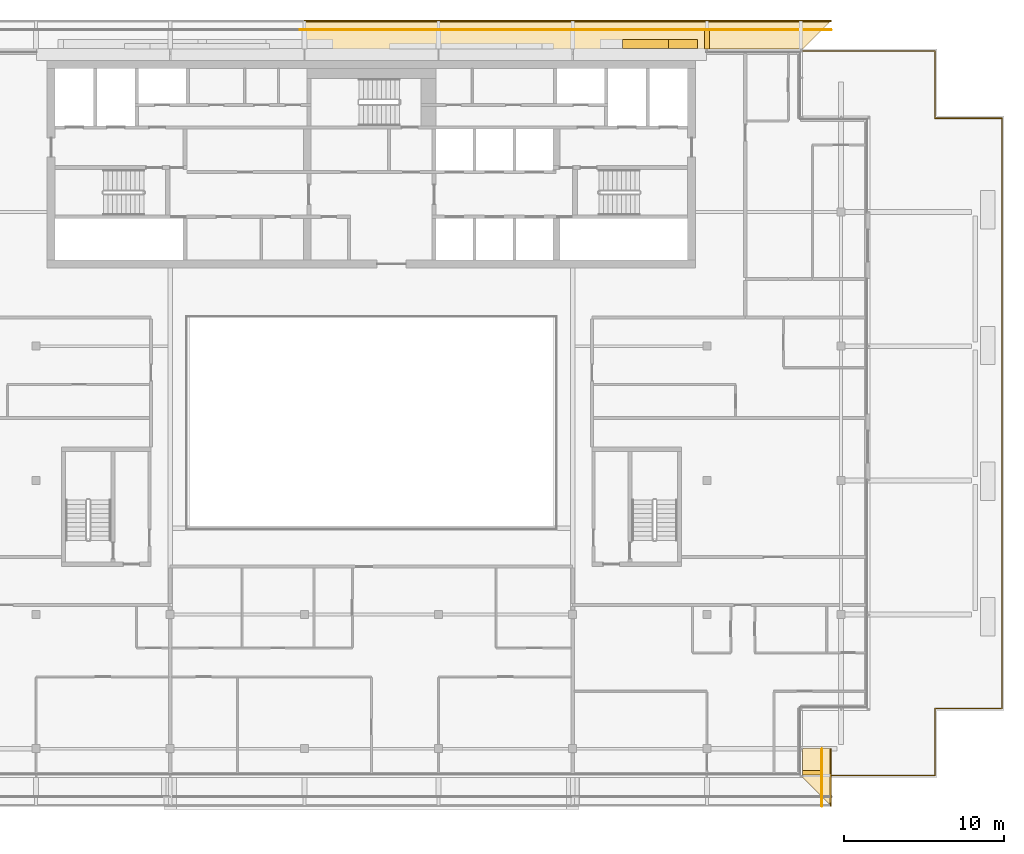
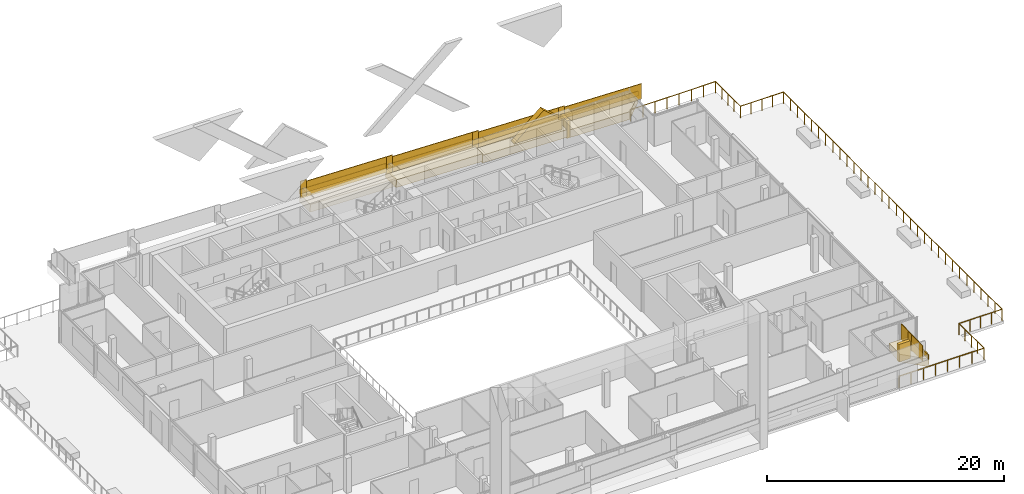
# One storey, part 27 of 29: 13 coverings, 11 railings.
"""IFC4 building model written with IfcOpenShell, lengths in metres."""

from ifc_helpers import new_model, si_unit, direction, frame, origin, origin_2d, place, context, subcontext, project, spatial, polyline, rectangle, circle, outline, extrude, material, layer, layer_set, type_object, element, save


model = new_model("IFC4")

# Units and contexts
model_context = context("Model", 3, precision=1e-05, world=origin(), true_north=direction((0.0, 1.0)))
body_context = subcontext(model_context, "Body", "Model", "MODEL_VIEW")
ifc_project = project(units=[si_unit("LENGTHUNIT", "METRE"), si_unit("AREAUNIT", "SQUARE_METRE"), si_unit("VOLUMEUNIT", "CUBIC_METRE"), si_unit("PLANEANGLEUNIT", "RADIAN"), si_unit("MASSUNIT", "GRAM", prefix="KILO")], contexts=[model_context])

# Site, building, storey
site_placement = place(None, origin())
site = spatial("IfcSite", under=ifc_project, at=site_placement, CompositionType="ELEMENT")
building_placement = place(site_placement, origin())
building = spatial("IfcBuilding", under=site, at=building_placement, Name="Saffron Gate Tower", CompositionType="ELEMENT")
storey_placement = place(building_placement, frame((0.0, 0.0, 270.75)))
storey = spatial("IfcBuildingStorey", under=building, at=storey_placement, Name="L65", CompositionType="ELEMENT", Elevation=270.75)

# Railing
ifc_material_1 = material(Name="Stainless steel posts and toughened glass infill", Category="steel")
railing_type_1 = type_object("IfcRailingType", Name="BAL1 balustrade 1200", PredefinedType="BALUSTRADE", material=ifc_material_1)
railing_1_placement = place(storey_placement, frame((114.60009765625, 30.1201171875, 0.0)))
element("IfcRailing", 1, at=railing_1_placement, inside=storey, type_object=railing_type_1, Name="GUARD terrace edge", PredefinedType="BALUSTRADE", context=body_context, shape_type="SweptSolid", body=[
    extrude(circle(Radius=0.02392578125, at=origin_2d()), frame((0.0, 0.0, 1.17578125), z_axis=(1.0, 0.0, 0.0), x_axis=(0.0, 1.0, 0.0)), (0.0, 0.0, 1.0), 8.27978515625),
    extrude(circle(Radius=0.02392578125, at=origin_2d()), frame((8.27978515625, 0.0, 1.17578125), z_axis=(0.0, 1.0, 0.0), x_axis=(-1.0, 0.0, 0.0)), (0.0, 0.0, 1.0), 4.199951171875),
    extrude(circle(Radius=0.02392578125, at=origin_2d()), frame((8.27978515625, 4.199951171875, 1.17578125), z_axis=(1.0, 0.0, 0.0), x_axis=(0.0, 1.0, 0.0)), (0.0, 0.0, 1.0), 4.2001953125),
    extrude(circle(Radius=0.02392578125, at=origin_2d()), frame((12.47998046875, 4.199951171875, 1.17578125), z_axis=(0.0, 1.0, 0.0), x_axis=(-1.0, 0.0, 0.0)), (0.0, 0.0, 1.0), 36.9599609375),
    extrude(circle(Radius=0.02392578125, at=origin_2d()), frame((12.47998046875, 41.159912109375, 1.17578125), z_axis=(-1.0, 0.0, 0.0), x_axis=(0.0, -1.0, 0.0)), (0.0, 0.0, 1.0), 4.2001953125),
    extrude(circle(Radius=0.02392578125, at=origin_2d()), frame((8.27978515625, 41.159912109375, 1.17578125), z_axis=(0.0, 1.0, 0.0), x_axis=(-1.0, 0.0, 0.0)), (0.0, 0.0, 1.0), 4.199951171875),
    extrude(circle(Radius=0.02392578125, at=origin_2d()), frame((8.27978515625, 45.35986328125, 1.17578125), z_axis=(-1.0, 0.0, 0.0), x_axis=(0.0, -1.0, 0.0)), (0.0, 0.0, 1.0), 8.27978515625),
    extrude(circle(Radius=0.02099609375, at=origin_2d()), origin(), (0.0, 0.0, 1.0), 1.15185546875),
    extrude(circle(Radius=0.02099609375, at=origin_2d()), frame((1.182861328125, 0.0, 0.0)), (0.0, 0.0, 1.0), 1.15185546875),
    extrude(circle(Radius=0.02099609375, at=origin_2d()), frame((2.36572265625, 0.0, 0.0)), (0.0, 0.0, 1.0), 1.15185546875),
    extrude(circle(Radius=0.02099609375, at=origin_2d()), frame((3.548583984375, 0.0, 0.0)), (0.0, 0.0, 1.0), 1.15185546875),
    extrude(circle(Radius=0.02099609375, at=origin_2d()), frame((4.731201171875, 0.0, 0.0)), (0.0, 0.0, 1.0), 1.15185546875),
    extrude(circle(Radius=0.02099609375, at=origin_2d()), frame((5.9140625, 0.0, 0.0)), (0.0, 0.0, 1.0), 1.15185546875),
    extrude(circle(Radius=0.02099609375, at=origin_2d()), frame((7.096923828125, 0.0, 0.0)), (0.0, 0.0, 1.0), 1.15185546875),
    extrude(circle(Radius=0.02099609375, at=origin_2d()), frame((8.27978515625, 0.0, 0.0)), (0.0, 0.0, 1.0), 1.15185546875),
    extrude(circle(Radius=0.02099609375, at=origin_2d()), frame((8.27978515625, 1.050048828125, 0.0)), (0.0, 0.0, 1.0), 1.15185546875),
    extrude(circle(Radius=0.02099609375, at=origin_2d()), frame((8.27978515625, 2.10009765625, 0.0)), (0.0, 0.0, 1.0), 1.15185546875),
    extrude(circle(Radius=0.02099609375, at=origin_2d()), frame((8.27978515625, 3.14990234375, 0.0)), (0.0, 0.0, 1.0), 1.15185546875),
    extrude(circle(Radius=0.02099609375, at=origin_2d()), frame((8.27978515625, 4.199951171875, 0.0)), (0.0, 0.0, 1.0), 1.15185546875),
    extrude(circle(Radius=0.02099609375, at=origin_2d()), frame((9.329833984375, 4.199951171875, 0.0)), (0.0, 0.0, 1.0), 1.15185546875),
    extrude(circle(Radius=0.02099609375, at=origin_2d()), frame((10.3798828125, 4.199951171875, 0.0)), (0.0, 0.0, 1.0), 1.15185546875),
    extrude(circle(Radius=0.02099609375, at=origin_2d()), frame((11.429931640625, 4.199951171875, 0.0)), (0.0, 0.0, 1.0), 1.15185546875),
    extrude(circle(Radius=0.02099609375, at=origin_2d()), frame((12.47998046875, 4.199951171875, 0.0)), (0.0, 0.0, 1.0), 1.15185546875),
    extrude(circle(Radius=0.02099609375, at=origin_2d()), frame((12.47998046875, 5.39208984375, 0.0)), (0.0, 0.0, 1.0), 1.15185546875),
    extrude(circle(Radius=0.02099609375, at=origin_2d()), frame((12.47998046875, 6.58447265625, 0.0)), (0.0, 0.0, 1.0), 1.15185546875),
    extrude(circle(Radius=0.02099609375, at=origin_2d()), frame((12.47998046875, 7.776611328125, 0.0)), (0.0, 0.0, 1.0), 1.15185546875),
    extrude(circle(Radius=0.02099609375, at=origin_2d()), frame((12.47998046875, 8.968994140625, 0.0)), (0.0, 0.0, 1.0), 1.15185546875),
    extrude(circle(Radius=0.02099609375, at=origin_2d()), frame((12.47998046875, 10.1611328125, 0.0)), (0.0, 0.0, 1.0), 1.15185546875),
    extrude(circle(Radius=0.02099609375, at=origin_2d()), frame((12.47998046875, 11.353515625, 0.0)), (0.0, 0.0, 1.0), 1.15185546875),
    extrude(circle(Radius=0.02099609375, at=origin_2d()), frame((12.47998046875, 12.545654296875, 0.0)), (0.0, 0.0, 1.0), 1.15185546875),
    extrude(circle(Radius=0.02099609375, at=origin_2d()), frame((12.47998046875, 13.738037109375, 0.0)), (0.0, 0.0, 1.0), 1.15185546875),
    extrude(circle(Radius=0.02099609375, at=origin_2d()), frame((12.47998046875, 14.93017578125, 0.0)), (0.0, 0.0, 1.0), 1.15185546875),
    extrude(circle(Radius=0.02099609375, at=origin_2d()), frame((12.47998046875, 16.12255859375, 0.0)), (0.0, 0.0, 1.0), 1.15185546875),
    extrude(circle(Radius=0.02099609375, at=origin_2d()), frame((12.47998046875, 17.314697265625, 0.0)), (0.0, 0.0, 1.0), 1.15185546875),
    extrude(circle(Radius=0.02099609375, at=origin_2d()), frame((12.47998046875, 18.507080078125, 0.0)), (0.0, 0.0, 1.0), 1.15185546875),
    extrude(circle(Radius=0.02099609375, at=origin_2d()), frame((12.47998046875, 19.69921875, 0.0)), (0.0, 0.0, 1.0), 1.15185546875),
    extrude(circle(Radius=0.02099609375, at=origin_2d()), frame((12.47998046875, 20.8916015625, 0.0)), (0.0, 0.0, 1.0), 1.15185546875),
    extrude(circle(Radius=0.02099609375, at=origin_2d()), frame((12.47998046875, 22.083740234375, 0.0)), (0.0, 0.0, 1.0), 1.15185546875),
    extrude(circle(Radius=0.02099609375, at=origin_2d()), frame((12.47998046875, 23.276123046875, 0.0)), (0.0, 0.0, 1.0), 1.15185546875),
    extrude(circle(Radius=0.02099609375, at=origin_2d()), frame((12.47998046875, 24.46826171875, 0.0)), (0.0, 0.0, 1.0), 1.15185546875),
    extrude(circle(Radius=0.02099609375, at=origin_2d()), frame((12.47998046875, 25.66064453125, 0.0)), (0.0, 0.0, 1.0), 1.15185546875),
    extrude(circle(Radius=0.02099609375, at=origin_2d()), frame((12.47998046875, 26.852783203125, 0.0)), (0.0, 0.0, 1.0), 1.15185546875),
    extrude(circle(Radius=0.02099609375, at=origin_2d()), frame((12.47998046875, 28.045166015625, 0.0)), (0.0, 0.0, 1.0), 1.15185546875),
    extrude(circle(Radius=0.02099609375, at=origin_2d()), frame((12.47998046875, 29.2373046875, 0.0)), (0.0, 0.0, 1.0), 1.15185546875),
    extrude(circle(Radius=0.02099609375, at=origin_2d()), frame((12.47998046875, 30.4296875, 0.0)), (0.0, 0.0, 1.0), 1.15185546875),
    extrude(circle(Radius=0.02099609375, at=origin_2d()), frame((12.47998046875, 31.621826171875, 0.0)), (0.0, 0.0, 1.0), 1.15185546875),
    extrude(circle(Radius=0.02099609375, at=origin_2d()), frame((12.47998046875, 32.814208984375, 0.0)), (0.0, 0.0, 1.0), 1.15185546875),
    extrude(circle(Radius=0.02099609375, at=origin_2d()), frame((12.47998046875, 34.00634765625, 0.0)), (0.0, 0.0, 1.0), 1.15185546875),
    extrude(circle(Radius=0.02099609375, at=origin_2d()), frame((12.47998046875, 35.19873046875, 0.0)), (0.0, 0.0, 1.0), 1.15185546875),
    extrude(circle(Radius=0.02099609375, at=origin_2d()), frame((12.47998046875, 36.390869140625, 0.0)), (0.0, 0.0, 1.0), 1.15185546875),
    extrude(circle(Radius=0.02099609375, at=origin_2d()), frame((12.47998046875, 37.583251953125, 0.0)), (0.0, 0.0, 1.0), 1.15185546875),
    extrude(circle(Radius=0.02099609375, at=origin_2d()), frame((12.47998046875, 38.775390625, 0.0)), (0.0, 0.0, 1.0), 1.15185546875),
    extrude(circle(Radius=0.02099609375, at=origin_2d()), frame((12.47998046875, 39.9677734375, 0.0)), (0.0, 0.0, 1.0), 1.15185546875),
    extrude(circle(Radius=0.02099609375, at=origin_2d()), frame((12.47998046875, 41.159912109375, 0.0)), (0.0, 0.0, 1.0), 1.15185546875),
    extrude(circle(Radius=0.02099609375, at=origin_2d()), frame((11.429931640625, 41.159912109375, 0.0)), (0.0, 0.0, 1.0), 1.15185546875),
    extrude(circle(Radius=0.02099609375, at=origin_2d()), frame((10.3798828125, 41.159912109375, 0.0)), (0.0, 0.0, 1.0), 1.15185546875),
    extrude(circle(Radius=0.02099609375, at=origin_2d()), frame((9.329833984375, 41.159912109375, 0.0)), (0.0, 0.0, 1.0), 1.15185546875),
    extrude(circle(Radius=0.02099609375, at=origin_2d()), frame((8.27978515625, 41.159912109375, 0.0)), (0.0, 0.0, 1.0), 1.15185546875),
    extrude(circle(Radius=0.02099609375, at=origin_2d()), frame((8.27978515625, 42.2099609375, 0.0)), (0.0, 0.0, 1.0), 1.15185546875),
    extrude(circle(Radius=0.02099609375, at=origin_2d()), frame((8.27978515625, 43.259765625, 0.0)), (0.0, 0.0, 1.0), 1.15185546875),
    extrude(circle(Radius=0.02099609375, at=origin_2d()), frame((8.27978515625, 44.309814453125, 0.0)), (0.0, 0.0, 1.0), 1.15185546875),
    extrude(circle(Radius=0.02099609375, at=origin_2d()), frame((8.27978515625, 45.35986328125, 0.0)), (0.0, 0.0, 1.0), 1.15185546875),
    extrude(circle(Radius=0.02099609375, at=origin_2d()), frame((7.096923828125, 45.35986328125, 0.0)), (0.0, 0.0, 1.0), 1.15185546875),
    extrude(circle(Radius=0.02099609375, at=origin_2d()), frame((5.9140625, 45.35986328125, 0.0)), (0.0, 0.0, 1.0), 1.15185546875),
    extrude(circle(Radius=0.02099609375, at=origin_2d()), frame((4.731201171875, 45.35986328125, 0.0)), (0.0, 0.0, 1.0), 1.15185546875),
    extrude(circle(Radius=0.02099609375, at=origin_2d()), frame((3.548583984375, 45.35986328125, 0.0)), (0.0, 0.0, 1.0), 1.15185546875),
    extrude(circle(Radius=0.02099609375, at=origin_2d()), frame((2.36572265625, 45.35986328125, 0.0)), (0.0, 0.0, 1.0), 1.15185546875),
    extrude(circle(Radius=0.02099609375, at=origin_2d()), frame((1.182861328125, 45.35986328125, 0.0)), (0.0, 0.0, 1.0), 1.15185546875),
    extrude(circle(Radius=0.02099609375, at=origin_2d()), frame((0.0, 45.35986328125, 0.0)), (0.0, 0.0, 1.0), 1.15185546875),
])

# Coverings
ifc_material_2 = material(Name="Timber, thermally modified ash", Category="wood")
ifc_layer_1 = layer(ifc_material_2, 0.800048828125)
ifc_layer_set_1 = layer_set([ifc_layer_1], Name="LD1 ledge timber")
covering_type_1 = type_object("IfcCoveringType", Name="LD1 ledge timber", PredefinedType="CLADDING", material=ifc_layer_set_1)
covering_1_placement = place(storey_placement, frame((114.60009765625, 30.0, 3.514404296875), z_axis=(-4.5197335e-05, -0.028831989003, 0.999584270768), x_axis=(2.042e-09, 0.999584271789, 0.028831989032)))
element("IfcCovering", 2, at=covering_1_placement, inside=storey, type_object=covering_type_1, Name="LEDGE", PredefinedType="CLADDING", context=body_context, shape_type="SweptSolid", body=[
    extrude(outline(polyline([(0.0, 0.0), (1.8007998167885757, 4.235164736271502e-22), (1.8007998204631834, -1.7998046856616803), (-1.8007927740541456, -1.7998046966915844), (0.0, 0.0)])), origin(), (0.0, 0.0, -1.0), 0.800048828125),
])
covering_2_placement = place(storey_placement, frame((114.60009765625, 75.60009765625, 0.89990234375), z_axis=(0.028789985935, -2.2222876e-05, 0.999585482195), x_axis=(-0.999585482442, 1.48e-10, 0.028789985943)))
element("IfcCovering", 3, at=covering_2_placement, inside=storey, type_object=covering_type_1, Name="LEDGE", PredefinedType="CLADDING", context=body_context, shape_type="SweptSolid", body=[
    extrude(outline(polyline([(0.0, 0.0), (6.002489288708389, 0.0), (6.002489288974903, -1.7998046870555775), (-1.8005487432843987, -1.799804689099891), (0.0, 0.0)])), origin(), (0.0, 0.0, -1.0), 0.800048828125),
])
covering_3_placement = place(storey_placement, frame((108.60009765625, 75.60009765625, 1.1904296875), z_axis=(0.028790339263, 0.0, 0.999585472266), x_axis=(-0.999585472266, 0.0, 0.028790339263)))
element("IfcCovering", 4, at=covering_3_placement, inside=storey, type_object=covering_type_1, Name="LEDGE", PredefinedType="CLADDING", context=body_context, shape_type="SweptSolid", body=[
    extrude(outline(polyline([(0.0, 0.0), (8.403630022085892, 0.0), (8.403630022085892, -1.7998046875), (0.0, -1.7998046875), (0.0, 0.0)])), origin(), (0.0, 0.0, -1.0), 0.800048828125),
])
covering_4_placement = place(storey_placement, frame((100.199951171875, 75.60009765625, 1.59716796875), z_axis=(0.028791175352, 0.0, 0.999585448184), x_axis=(-0.999585448184, 0.0, 0.028791175352)))
element("IfcCovering", 5, at=covering_4_placement, inside=storey, type_object=covering_type_1, Name="LEDGE", PredefinedType="CLADDING", context=body_context, shape_type="SweptSolid", body=[
    extrude(outline(polyline([(0.0, 0.0), (8.403385982666892, 0.0), (8.403385982666892, -1.7998046875), (0.0, -1.7998046875), (0.0, 0.0)])), origin(), (0.0, 0.0, -1.0), 0.800048828125),
])
covering_5_placement = place(storey_placement, frame((91.800048828125, 75.60009765625, 2.00390625), z_axis=(0.028790339263, 0.0, 0.999585472266), x_axis=(-0.999585472266, 0.0, 0.028790339263)))
element("IfcCovering", 6, at=covering_5_placement, inside=storey, type_object=covering_type_1, Name="LEDGE", PredefinedType="CLADDING", context=body_context, shape_type="SweptSolid", body=[
    extrude(outline(polyline([(0.0, 0.0), (8.403630022085892, 0.0), (8.403630022085892, -1.7998046875), (0.0, -1.7998046875), (0.0, 0.0)])), origin(), (0.0, 0.0, -1.0), 0.800048828125),
])
ifc_layer_2 = layer(ifc_material_2, 0.080078125)
ifc_layer_set_2 = layer_set([ifc_layer_2], Name="LD2 ledge planter trough")
covering_type_2 = type_object("IfcCoveringType", Name="LD2 ledge planter trough", PredefinedType="CLADDING", material=ifc_layer_set_2)
covering_6_placement = place(storey_placement, frame((116.39990234375, 28.199951171875, 3.462646484375), z_axis=(1.0, 0.0, 0.0), x_axis=(0.0, 0.99958492274, 0.028809412191)))
element("IfcCovering", 7, at=covering_6_placement, inside=storey, type_object=covering_type_2, Name="LEDGE planter trough", PredefinedType="CLADDING", context=body_context, shape_type="SweptSolid", body=[
    extrude(outline(polyline([(0.0, 0.0), (3.601592595435983, 0.0), (3.6159973015313485, 0.4997924613700232), (0.014404706095365512, 0.4997924613700232), (0.0, 0.0)])), origin(), (0.0, 0.0, -1.0), 0.080078125),
])
covering_7_placement = place(storey_placement, frame((116.39990234375, 77.39990234375, 0.84814453125), z_axis=(0.0, 1.0, 0.0), x_axis=(-0.999585630001, 0.0, 0.028784862264)))
element("IfcCovering", 8, at=covering_7_placement, inside=storey, type_object=covering_type_2, Name="LEDGE planter trough", PredefinedType="CLADDING", context=body_context, shape_type="SweptSolid", body=[
    extrude(outline(polyline([(0.0, 0.0), (7.80303803236181, 2.7755575615628914e-17), (7.817430463493663, 0.4997928150004909), (0.014392431131853373, 0.49979281500049083), (0.0, 0.0)])), origin(), (0.0, 0.0, -1.0), 0.080078125),
])
covering_8_placement = place(storey_placement, frame((108.60009765625, 77.39990234375, 1.1904296875), z_axis=(0.0, 1.0, 0.0), x_axis=(-0.999585472266, 0.0, 0.028790339263)))
element("IfcCovering", 9, at=covering_8_placement, inside=storey, type_object=covering_type_2, Name="LEDGE planter trough", PredefinedType="CLADDING", context=body_context, shape_type="SweptSolid", body=[
    extrude(outline(polyline([(0.0, 0.0), (8.403630022085892, 0.0), (8.418025191717298, 0.4997927361329725), (0.014395169631405694, 0.4997927361329725), (0.0, 0.0)])), origin(), (0.0, 0.0, -1.0), 0.080078125),
])
covering_9_placement = place(storey_placement, frame((100.199951171875, 77.39990234375, 1.59716796875), z_axis=(0.0, 1.0, 0.0), x_axis=(-0.999585448184, 0.0, 0.028791175352)))
element("IfcCovering", 10, at=covering_9_placement, inside=storey, type_object=covering_type_2, Name="LEDGE planter trough", PredefinedType="CLADDING", context=body_context, shape_type="SweptSolid", body=[
    extrude(outline(polyline([(0.0, 0.0), (8.403385982666892, 0.0), (8.417781570342743, 0.49979272409216496), (0.014395587675851172, 0.4997927240921649), (0.0, 0.0)])), origin(), (0.0, 0.0, -1.0), 0.080078125),
])
covering_10_placement = place(storey_placement, frame((91.800048828125, 77.39990234375, 2.00390625), z_axis=(0.0, 1.0, 0.0), x_axis=(-0.999585472266, 0.0, 0.028790339263)))
element("IfcCovering", 11, at=covering_10_placement, inside=storey, type_object=covering_type_2, Name="LEDGE planter trough", PredefinedType="CLADDING", context=body_context, shape_type="SweptSolid", body=[
    extrude(outline(polyline([(0.0, 0.0), (8.403630022085892, 0.0), (8.418025191717298, 0.4997927361329725), (0.014395169631405694, 0.4997927361329725), (0.0, 0.0)])), origin(), (0.0, 0.0, -1.0), 0.080078125),
])
ifc_layer_3 = layer(ifc_material_2, 0.300048828125)
ifc_layer_set_3 = layer_set([ifc_layer_3], Name="LD3 ledge riser fin")
covering_type_3 = type_object("IfcCoveringType", Name="LD3 ledge riser fin", PredefinedType="CLADDING", material=ifc_layer_set_3)
for number, where, z_axis, x_axis, name in (
    (12, (115.159912109375, 30.300048828125, 2.5966796875), (0.0, 0.0, 1.0), (0.0, 1.0, 0.0), "LEDGE riser fin"),
    (13, (108.60009765625, 76.159912109375, 0.27294921875), (0.0, 0.0, 1.0), (-1.0, 0.0, 0.0), "LEDGE riser fin"),
):
    element("IfcCovering", number, at=place(storey_placement, frame(where, z_axis=z_axis, x_axis=x_axis)), inside=storey, type_object=covering_type_3, Name=name, PredefinedType="CLADDING", context=body_context, shape_type="SweptSolid", body=[
        extrude(rectangle(XDim=0.300048828125, YDim=1.1201171875, at=origin_2d()), origin(), (0.0, 0.0, 1.0), 1.817626953125),
    ])

# Railings
railing_type_2 = type_object("IfcRailingType", Name="LG1 ledge balustrade", PredefinedType="BALUSTRADE", material=ifc_material_2)
railing_2_placement = place(storey_placement, frame((115.800048828125, 28.199951171875, 3.462646484375)))
element("IfcRailing", 14, at=railing_2_placement, inside=storey, type_object=railing_type_2, Name="LEDGE BALUSTRADE", PredefinedType="BALUSTRADE", context=body_context, shape_type="SweptSolid", body=[
    extrude(rectangle(XDim=0.06005859375, YDim=1.60009765625, at=origin_2d()), frame((0.0, 0.0, 0.800048828125), z_axis=(0.0, 0.99958492274, 0.028809412191), x_axis=(-1.0, 0.0, 0.0)), (0.0, 0.0, 1.0), 3.6015625),
])
railing_3_placement = place(storey_placement, frame((115.800048828125, 30.0, 3.396728515625)))
element("IfcRailing", 15, at=railing_3_placement, inside=storey, type_object=railing_type_2, Name="LEDGE BALUSTRADE", PredefinedType="BALUSTRADE", context=body_context, shape_type="SweptSolid", body=[
    extrude(rectangle(XDim=0.06005859375, YDim=1.7177734375, at=origin_2d()), frame((0.0, 0.0, 0.85888671875), z_axis=(0.0, 1.0, 0.0), x_axis=(-1.0, 0.0, 0.0)), (0.0, 0.0, 1.0), 0.60009765625),
])
railing_4_placement = place(storey_placement, frame((116.39990234375, 76.800048828125, 0.84814453125)))
element("IfcRailing", 16, at=railing_4_placement, inside=storey, type_object=railing_type_2, Name="LEDGE BALUSTRADE", PredefinedType="BALUSTRADE", context=body_context, shape_type="SweptSolid", body=[
    extrude(rectangle(XDim=0.06005859375, YDim=1.60009765625, at=origin_2d()), frame((0.0, 0.0, 0.800048828125), z_axis=(-0.999585630001, 0.0, 0.028784862264), x_axis=(0.0, -1.0, 0.0)), (0.0, 0.0, 1.0), 7.802978515625),
])
railing_5_placement = place(storey_placement, frame((108.60009765625, 76.800048828125, 1.1904296875)))
element("IfcRailing", 17, at=railing_5_placement, inside=storey, type_object=railing_type_2, Name="LEDGE BALUSTRADE", PredefinedType="BALUSTRADE", context=body_context, shape_type="SweptSolid", body=[
    extrude(rectangle(XDim=0.06005859375, YDim=1.60009765625, at=origin_2d()), frame((0.0, 0.0, 0.800048828125), z_axis=(-0.999585472266, 0.0, 0.028790339263), x_axis=(0.0, -1.0, 0.0)), (0.0, 0.0, 1.0), 8.403564453125),
])
railing_6_placement = place(storey_placement, frame((108.89990234375, 76.800048828125, 1.07275390625)))
element("IfcRailing", 18, at=railing_6_placement, inside=storey, type_object=railing_type_2, Name="LEDGE BALUSTRADE", PredefinedType="BALUSTRADE", context=body_context, shape_type="SweptSolid", body=[
    extrude(rectangle(XDim=0.06005859375, YDim=1.7177734375, at=origin_2d()), frame((0.0, 0.0, 0.85888671875), z_axis=(-1.0, 0.0, 0.0), x_axis=(0.0, -1.0, 0.0)), (0.0, 0.0, 1.0), 0.599853515625),
])
railing_7_placement = place(storey_placement, frame((100.199951171875, 76.800048828125, 1.59716796875)))
element("IfcRailing", 19, at=railing_7_placement, inside=storey, type_object=railing_type_2, Name="LEDGE BALUSTRADE", PredefinedType="BALUSTRADE", context=body_context, shape_type="SweptSolid", body=[
    extrude(rectangle(XDim=0.06005859375, YDim=1.60009765625, at=origin_2d()), frame((0.0, 0.0, 0.800048828125), z_axis=(-0.999585448184, 0.0, 0.028791175352), x_axis=(0.0, -1.0, 0.0)), (0.0, 0.0, 1.0), 8.4033203125),
])
railing_8_placement = place(storey_placement, frame((100.5, 76.800048828125, 1.432373046875)))
element("IfcRailing", 20, at=railing_8_placement, inside=storey, type_object=railing_type_2, Name="LEDGE BALUSTRADE", PredefinedType="BALUSTRADE", context=body_context, shape_type="SweptSolid", body=[
    extrude(rectangle(XDim=0.06005859375, YDim=1.7646484375, at=origin_2d()), frame((0.0, 0.0, 0.88232421875), z_axis=(-1.0, 0.0, 0.0), x_axis=(0.0, -1.0, 0.0)), (0.0, 0.0, 1.0), 0.60009765625),
])
railing_9_placement = place(storey_placement, frame((91.800048828125, 76.800048828125, 2.00390625)))
element("IfcRailing", 21, at=railing_9_placement, inside=storey, type_object=railing_type_2, Name="LEDGE BALUSTRADE", PredefinedType="BALUSTRADE", context=body_context, shape_type="SweptSolid", body=[
    extrude(rectangle(XDim=0.06005859375, YDim=1.60009765625, at=origin_2d()), frame((0.0, 0.0, 0.800048828125), z_axis=(-0.999585472266, 0.0, 0.028790339263), x_axis=(0.0, -1.0, 0.0)), (0.0, 0.0, 1.0), 8.403564453125),
])
railing_10_placement = place(storey_placement, frame((92.10009765625, 76.800048828125, 1.839111328125)))
element("IfcRailing", 22, at=railing_10_placement, inside=storey, type_object=railing_type_2, Name="LEDGE BALUSTRADE", PredefinedType="BALUSTRADE", context=body_context, shape_type="SweptSolid", body=[
    extrude(rectangle(XDim=0.06005859375, YDim=1.7646484375, at=origin_2d()), frame((0.0, 0.0, 0.88232421875), z_axis=(-1.0, 0.0, 0.0), x_axis=(0.0, -1.0, 0.0)), (0.0, 0.0, 1.0), 0.60009765625),
])
railing_11_placement = place(storey_placement, frame((83.699951171875, 76.800048828125, 2.245849609375)))
element("IfcRailing", 23, at=railing_11_placement, inside=storey, type_object=railing_type_2, Name="LEDGE BALUSTRADE", PredefinedType="BALUSTRADE", context=body_context, shape_type="SweptSolid", body=[
    extrude(rectangle(XDim=0.06005859375, YDim=1.7646484375, at=origin_2d()), frame((0.0, 0.0, 0.88232421875), z_axis=(-1.0, 0.0, 0.0), x_axis=(0.0, -1.0, 0.0)), (0.0, 0.0, 1.0), 0.599853515625),
])

# Covering
ifc_material_3 = material(Name="Ceramic-printed bronze insulated panel")
ifc_layer_4 = layer(ifc_material_3, 0.550048828125)
ifc_layer_set_4 = layer_set([ifc_layer_4], Name="LZ2 rear relief panel 550")
covering_type_4 = type_object("IfcCoveringType", Name="LZ2 rear relief panel 550", PredefinedType="CLADDING", material=ifc_layer_set_4)
covering_11_placement = place(storey_placement, frame((106.199951171875, 76.18994140625, 3.9599609375), z_axis=(0.0, 1.0, 0.0), x_axis=(0.759292948088, 0.0, -0.650748967716)))
element("IfcCovering", 24, at=covering_11_placement, inside=storey, type_object=covering_type_4, Name="CLADDING rear relief panel", PredefinedType="CLADDING", context=body_context, shape_type="SweptSolid", body=[
    extrude(outline(polyline([(0.0, 0.0), (2.370690828430699, -2.220446049250313e-16), (3.060205115512564, 0.8045242662849486), (-0.5801645710867513, 3.746678616142388), (0.0, 0.0)])), origin(), (0.0, 0.0, -1.0), 0.550048828125),
])

save(model, "model.ifc")
